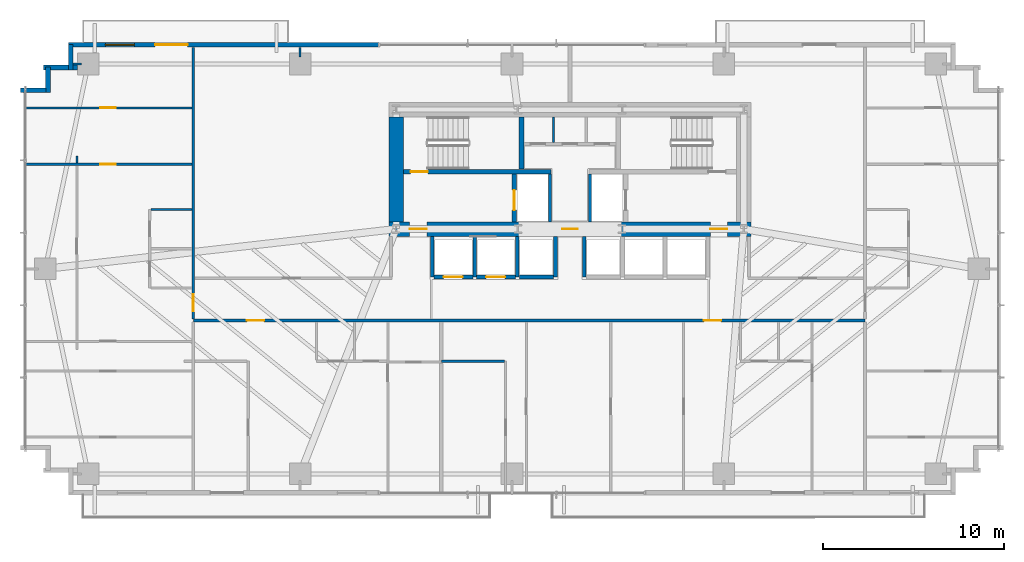
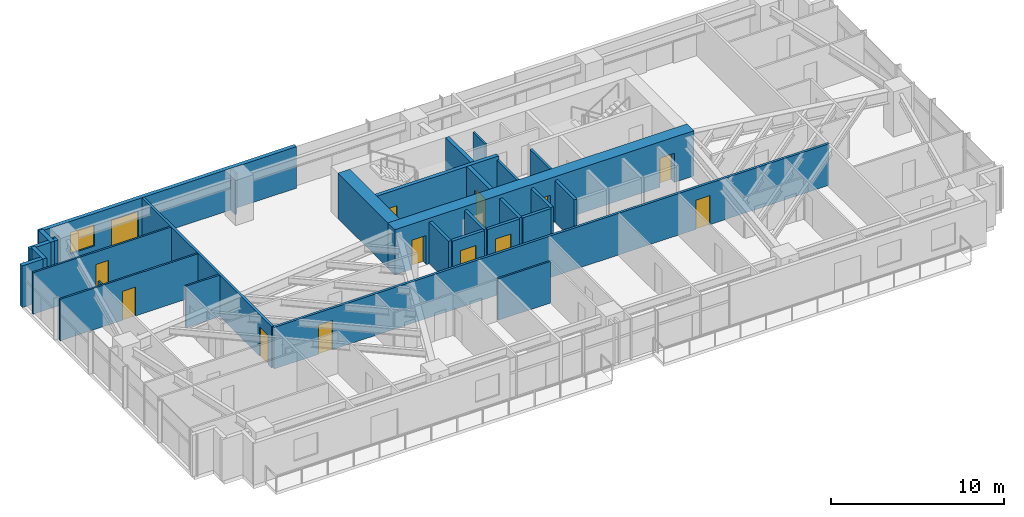
# One storey, part 20 of 25: 30 walls, 13 doors, 1 window, 14 openings.
"""IFC4 building model written with IfcOpenShell, lengths in metres."""

from ifc_helpers import new_model, si_unit, direction, frame, frame_2d, origin, place, context, subcontext, project, spatial, rectangle, extrude, source, transform, mapped, material, layer, layer_set, type_object, type_shapes, element, fill, save


model = new_model("IFC4")

# Units and contexts
model_context = context("Model", 3, precision=1e-05, world=origin(), true_north=direction((0.0, 1.0)))
body_context = subcontext(model_context, "Body", "Model", "MODEL_VIEW")
ifc_project = project(units=[si_unit("LENGTHUNIT", "METRE"), si_unit("AREAUNIT", "SQUARE_METRE"), si_unit("VOLUMEUNIT", "CUBIC_METRE"), si_unit("PLANEANGLEUNIT", "RADIAN"), si_unit("MASSUNIT", "GRAM", prefix="KILO")], contexts=[model_context])

# Site, building, storey
site_placement = place(None, origin())
site = spatial("IfcSite", under=ifc_project, at=site_placement, CompositionType="ELEMENT")
building_placement = place(site_placement, origin())
building = spatial("IfcBuilding", under=site, at=building_placement, Name="Astriad Promenade Condominiums", CompositionType="ELEMENT")
storey_placement = place(building_placement, frame((0.0, 0.0, 29.39990234375)))
storey = spatial("IfcBuildingStorey", under=building, at=storey_placement, Name="L07", CompositionType="ELEMENT", Elevation=29.39990234375)

# Wall, openings, doors
ifc_material_1 = material(Name="Concrete C80/95", Category="concrete")
ifc_layer_1 = layer(ifc_material_1, 0.800048828125)
ifc_layer_set_1 = layer_set([ifc_layer_1], Name="Concrete C80/95")
wall_type_1 = type_object("IfcWallType", Name="CW-SHEAR-800", PredefinedType="SHEAR", material=ifc_layer_set_1)
wall_1_placement = place(storey_placement, frame((26.0, 17.39990234375, 0.0), z_axis=(0.0, 0.0, 1.0), x_axis=(1.0, 0.0, 0.0)))
wall_1 = element("IfcWall", 1, at=wall_1_placement, inside=storey, type_object=wall_type_1, Name="CW-CORE-S-L07", PredefinedType="SHEAR", context=body_context, shape_type="SweptSolid", body=[
    extrude(rectangle(XDim=20.0, YDim=0.800048828125, at=frame_2d((10.0, 0.0))), origin(), (0.0, 0.0, 1.0), 3.2001953125),
])
opening_1_placement = place(wall_1_placement, frame((1.14990234375, 0.0, 0.0)))
opening_1 = element("IfcOpeningElement", 2, at=opening_1_placement, cuts=wall_1, Name="Opening FD90-ST-095", PredefinedType="OPENING", context=body_context, shape_type="SweptSolid", body=[
    extrude(rectangle(XDim=0.949951171875, YDim=2.06005859375, at=frame_2d((0.47509765625, 1.030029296875))), frame((0.0, 0.409912109375, 0.0), z_axis=(0.0, -1.0, 0.0), x_axis=(1.0, 0.0, 0.0)), (0.0, 0.0, 1.0), 0.820068359375),
])
opening_2_placement = place(wall_1_placement, frame((9.580078125, 0.0, 0.0)))
opening_2 = element("IfcOpeningElement", 3, at=opening_2_placement, cuts=wall_1, Name="Opening FD60-ULOW-085", PredefinedType="OPENING", context=body_context, shape_type="SweptSolid", body=[
    extrude(rectangle(XDim=0.85009765625, YDim=2.0, at=frame_2d((0.425048828125, 1.0))), frame((0.0, 0.409912109375, 0.0), z_axis=(0.0, -1.0, 0.0), x_axis=(1.0, 0.0, 0.0)), (0.0, 0.0, 1.0), 0.820068359375),
])
opening_3_placement = place(wall_1_placement, frame((17.75, 0.0, 0.0)))
opening_3 = element("IfcOpeningElement", 4, at=opening_3_placement, cuts=wall_1, Name="Opening FD90-ST-095", PredefinedType="OPENING", context=body_context, shape_type="SweptSolid", body=[
    extrude(rectangle(XDim=0.949951171875, YDim=2.06005859375, at=frame_2d((0.47509765625, 1.030029296875))), frame((0.0, 0.409912109375, 0.0), z_axis=(0.0, -1.0, 0.0), x_axis=(1.0, 0.0, 0.0)), (0.0, 0.0, 1.0), 0.820068359375),
])
ifc_material_2 = material(Name="Fire-Rated Hollow Metal Stair Door")
door_type_1 = type_object("IfcDoorType", Name="FD90-ST-095", OperationType="NOTDEFINED", PredefinedType="DOOR", material=ifc_material_2)
shared_shape_1 = source(origin(), body_context, "Body", "SweptSolid", [
    extrude(rectangle(XDim=0.949951171875, YDim=2.06005859375, at=frame_2d((0.47509765625, 1.030029296875))), frame((0.0, 0.02490234375, 0.0), z_axis=(0.0, -1.0, 0.0), x_axis=(1.0, 0.0, 0.0)), (0.0, 0.0, 1.0), 0.050048828125),
])
type_shapes(door_type_1, [shared_shape_1])
door_1_placement = place(opening_1_placement, origin())
door_1 = element("IfcDoor", 5, at=door_1_placement, inside=storey, type_object=door_type_1, Name="D-FFW-L07", OperationType="SINGLE_SWING_LEFT", OverallHeight=2.06005859375, OverallWidth=0.949951171875, PredefinedType="DOOR", context=body_context, shape_type="MappedRepresentation", body=[
    mapped(shared_shape_1, transform((0.0, 0.0, 0.0), scale=1.0)),
])
fill(opening_1, door_1)
door_2_placement = place(opening_3_placement, origin())
door_2 = element("IfcDoor", 6, at=door_2_placement, inside=storey, type_object=door_type_1, Name="D-FFE-L07", OperationType="SINGLE_SWING_RIGHT", OverallHeight=2.06005859375, OverallWidth=0.949951171875, PredefinedType="DOOR", context=body_context, shape_type="MappedRepresentation", body=[
    mapped(shared_shape_1, transform((0.0, 0.0, 0.0), scale=1.0)),
])
fill(opening_3, door_2)
ifc_material_3 = material(Name="Solid-Core Low-Headroom Fire Door")
door_type_2 = type_object("IfcDoorType", Name="FD60-ULOW-085", OperationType="NOTDEFINED", PredefinedType="DOOR", material=ifc_material_3)
shared_shape_2 = source(origin(), body_context, "Body", "SweptSolid", [
    extrude(rectangle(XDim=0.85009765625, YDim=2.0, at=frame_2d((0.425048828125, 1.0))), frame((0.0, 0.02490234375, 0.0), z_axis=(0.0, -1.0, 0.0), x_axis=(1.0, 0.0, 0.0)), (0.0, 0.0, 1.0), 0.050048828125),
])
type_shapes(door_type_2, [shared_shape_2])
door_3_placement = place(opening_2_placement, origin())
door_3 = element("IfcDoor", 7, at=door_3_placement, inside=storey, type_object=door_type_2, Name="D-CSL-L07", OperationType="SINGLE_SWING_RIGHT", OverallHeight=2.0, OverallWidth=0.85009765625, PredefinedType="DOOR", context=body_context, shape_type="MappedRepresentation", body=[
    mapped(shared_shape_2, transform((0.0, 0.0, 0.0), scale=1.0)),
])
fill(opening_2, door_3)

# Wall
wall_2_placement = place(storey_placement, frame((26.39990234375, 17.802001953125, 0.0), z_axis=(0.0, 0.0, 1.0), x_axis=(0.0, 1.0, 0.0)))
element("IfcWall", 8, at=wall_2_placement, inside=storey, type_object=wall_type_1, Name="CW-CORE-W-L07", PredefinedType="SHEAR", context=body_context, shape_type="SweptSolid", body=[
    extrude(rectangle(XDim=5.7958984375, YDim=0.800048828125, at=frame_2d((2.89794921875, 0.0))), origin(), (0.0, 0.0, 1.0), 3.2001953125),
])

# Wall, opening, door
ifc_material_4 = material(Name="Concrete C50/60", Category="concrete")
ifc_layer_2 = layer(ifc_material_4, 0.25)
ifc_layer_set_2 = layer_set([ifc_layer_2], Name="Concrete C50/60")
wall_type_2 = type_object("IfcWallType", Name="WALL-CORE-INT-250", PredefinedType="SOLIDWALL", material=ifc_layer_set_2)
wall_3_placement = place(storey_placement, frame((26.802001953125, 20.574951171875, 0.0), z_axis=(0.0, 0.0, 1.0), x_axis=(1.0, 0.0, 0.0)))
wall_3 = element("IfcWall", 9, at=wall_3_placement, inside=storey, type_object=wall_type_2, Name="CW-INT-H1-L07", PredefinedType="SOLIDWALL", context=body_context, shape_type="SweptSolid", body=[
    extrude(rectangle(XDim=8.14794921875, YDim=0.25, at=frame_2d((4.073974609375, 0.0))), origin(), (0.0, 0.0, 1.0), 3.2001953125),
])
opening_4_placement = place(wall_3_placement, frame((0.39794921875, 0.0, 0.0)))
opening_4 = element("IfcOpeningElement", 10, at=opening_4_placement, cuts=wall_3, Name="Opening FD90-ST-095", PredefinedType="OPENING", context=body_context, shape_type="SweptSolid", body=[
    extrude(rectangle(XDim=0.949951171875, YDim=2.06005859375, at=frame_2d((0.47509765625, 1.030029296875))), frame((0.0, 0.135009765625, 0.0), z_axis=(0.0, -1.0, 0.0), x_axis=(1.0, 0.0, 0.0)), (0.0, 0.0, 1.0), 0.27001953125),
])
door_4_placement = place(opening_4_placement, origin())
door_4 = element("IfcDoor", 11, at=door_4_placement, inside=storey, type_object=door_type_1, Name="D-ST1-L07", OperationType="SINGLE_SWING_RIGHT", OverallHeight=2.06005859375, OverallWidth=0.949951171875, PredefinedType="DOOR", context=body_context, shape_type="MappedRepresentation", body=[
    mapped(shared_shape_1, transform((0.0, 0.0, 0.0), scale=1.0)),
])
fill(opening_4, door_4)

# Wall
wall_4_placement = place(storey_placement, frame((33.324951171875, 20.701904296875, 0.0), z_axis=(0.0, 0.0, 1.0), x_axis=(0.0, 1.0, 0.0)))
element("IfcWall", 12, at=wall_4_placement, inside=storey, type_object=wall_type_2, Name="CW-ST1-E-L07", PredefinedType="SOLIDWALL", context=body_context, shape_type="SweptSolid", body=[
    extrude(rectangle(XDim=2.89599609375, YDim=0.25, at=frame_2d((1.447998046875, 0.0))), origin(), (0.0, 0.0, 1.0), 3.2001953125),
])

# Wall, opening, door
wall_5_placement = place(storey_placement, frame((32.925048828125, 17.802001953125, 0.0), z_axis=(0.0, 0.0, 1.0), x_axis=(0.0, 1.0, 0.0)))
wall_5 = element("IfcWall", 13, at=wall_5_placement, inside=storey, type_object=wall_type_2, Name="CW-FFL1-W-L07", PredefinedType="SOLIDWALL", context=body_context, shape_type="SweptSolid", body=[
    extrude(rectangle(XDim=2.64599609375, YDim=0.25, at=frame_2d((1.322998046875, 0.0))), origin(), (0.0, 0.0, 1.0), 3.2001953125),
])
opening_5_placement = place(wall_5_placement, frame((0.64794921875, 0.0, 0.0)))
opening_5 = element("IfcOpeningElement", 14, at=opening_5_placement, cuts=wall_5, Name="Opening LD-FFL-1122", PredefinedType="OPENING", context=body_context, shape_type="SweptSolid", body=[
    extrude(rectangle(XDim=1.10009765625, YDim=2.080078125, at=frame_2d((0.550048828125, 1.0400390625))), frame((0.0, 0.135009765625, 0.0), z_axis=(0.0, -1.0, 0.0), x_axis=(1.0, 0.0, 0.0)), (0.0, 0.0, 1.0), 0.27001953125),
])
ifc_material_5 = material(Name="Brushed Stainless Steel Fire Elevator Landing Door", Category="steel")
door_type_3 = type_object("IfcDoorType", Name="LD-FFL-1122", OperationType="NOTDEFINED", PredefinedType="DOOR", material=ifc_material_5)
shared_shape_3 = source(origin(), body_context, "Body", "SweptSolid", [
    extrude(rectangle(XDim=1.10009765625, YDim=2.080078125, at=frame_2d((0.550048828125, 1.0400390625))), frame((0.0, 0.02490234375, 0.0), z_axis=(0.0, -1.0, 0.0), x_axis=(1.0, 0.0, 0.0)), (0.0, 0.0, 1.0), 0.050048828125),
])
type_shapes(door_type_3, [shared_shape_3])
door_5_placement = place(opening_5_placement, origin())
door_5 = element("IfcDoor", 15, at=door_5_placement, inside=storey, type_object=door_type_3, Name="Elevator Landing Door FFL-1 (L07)", OperationType="SLIDING_TO_LEFT", OverallHeight=2.080078125, OverallWidth=1.10009765625, PredefinedType="DOOR", context=body_context, shape_type="MappedRepresentation", body=[
    mapped(shared_shape_3, transform((0.0, 0.0, 0.0), scale=1.0)),
])
fill(opening_5, door_5)

# Walls
ifc_material_6 = material(Name="Fire-Rated Gypsum Partition")
ifc_layer_3 = layer(ifc_material_6, 0.159912109375)
ifc_layer_set_3 = layer_set([ifc_layer_3], Name="Fire-Rated Gypsum Partition")
wall_type_3 = type_object("IfcWallType", Name="WALL-CORR-160", PredefinedType="PARTITIONING", material=ifc_layer_set_3)
for number, where, z_axis, x_axis, name in (
    (16, (34.89990234375, 17.802001953125, 0.0), (0.0, 0.0, 1.0), (0.0, 1.0, 0.0), "CW-FFL1-E-L07"),
    (17, (37.10009765625, 17.802001953125, 0.0), (0.0, 0.0, 1.0), (0.0, 1.0, 0.0), "CW-FFL2-W-L07"),
):
    element("IfcWall", number, at=place(storey_placement, frame(where, z_axis=z_axis, x_axis=x_axis)), inside=storey, type_object=wall_type_3, Name=name, PredefinedType="PARTITIONING", context=body_context, shape_type="SweptSolid", body=[
        extrude(rectangle(XDim=2.64599609375, YDim=0.159912109375, at=frame_2d((1.322998046875, 0.0))), origin(), (0.0, 0.0, 1.0), 2.940185546875),
    ])

# Wall, openings, doors
wall_6_placement = place(storey_placement, frame((15.199951171875, 12.35009765625, 0.0), z_axis=(0.0, 0.0, 1.0), x_axis=(1.0, 0.0, 0.0)))
wall_6 = element("IfcWall", 18, at=wall_6_placement, inside=storey, type_object=wall_type_3, Name="PT-COR-S-L07", PredefinedType="PARTITIONING", context=body_context, shape_type="SweptSolid", body=[
    extrude(rectangle(XDim=37.10009765625, YDim=0.159912109375, at=frame_2d((18.550048828125, 0.0))), origin(), (0.0, 0.0, 1.0), 2.940185546875),
])
opening_6_placement = place(wall_6_placement, frame((2.964111328125, 0.0, 0.0)))
opening_6 = element("IfcOpeningElement", 19, at=opening_6_placement, cuts=wall_6, Name="Opening FD60-APT-095", PredefinedType="OPENING", context=body_context, shape_type="SweptSolid", body=[
    extrude(rectangle(XDim=0.949951171875, YDim=2.06005859375, at=frame_2d((0.47509765625, 1.030029296875))), frame((0.0, 0.08984375, 0.0), z_axis=(0.0, -1.0, 0.0), x_axis=(1.0, 0.0, 0.0)), (0.0, 0.0, 1.0), 0.179931640625),
])
opening_7_placement = place(wall_6_placement, frame((28.201904296875, 0.0, 0.0)))
opening_7 = element("IfcOpeningElement", 20, at=opening_7_placement, cuts=wall_6, Name="Opening FD60-APT-095", PredefinedType="OPENING", context=body_context, shape_type="SweptSolid", body=[
    extrude(rectangle(XDim=0.949951171875, YDim=2.06005859375, at=frame_2d((0.47509765625, 1.030029296875))), frame((0.0, 0.08984375, 0.0), z_axis=(0.0, -1.0, 0.0), x_axis=(1.0, 0.0, 0.0)), (0.0, 0.0, 1.0), 0.179931640625),
])
ifc_material_7 = material(Name="Solid-Core Acoustic Timber Residence Entry Door", Category="wood")
door_type_4 = type_object("IfcDoorType", Name="FD60-APT-095", OperationType="NOTDEFINED", PredefinedType="DOOR", material=ifc_material_7)
shared_shape_4 = source(origin(), body_context, "Body", "SweptSolid", [
    extrude(rectangle(XDim=0.949951171875, YDim=2.06005859375, at=frame_2d((0.47509765625, 1.030029296875))), frame((0.0, 0.02490234375, 0.0), z_axis=(0.0, -1.0, 0.0), x_axis=(1.0, 0.0, 0.0)), (0.0, 0.0, 1.0), 0.050048828125),
])
type_shapes(door_type_4, [shared_shape_4])
door_6_placement = place(opening_6_placement, origin())
door_6 = element("IfcDoor", 21, at=door_6_placement, inside=storey, type_object=door_type_4, Name="D-ENT-L07-S1", OperationType="SINGLE_SWING_LEFT", OverallHeight=2.06005859375, OverallWidth=0.949951171875, PredefinedType="DOOR", context=body_context, shape_type="MappedRepresentation", body=[
    mapped(shared_shape_4, transform((0.0, 0.0, 0.0), scale=1.0)),
])
fill(opening_6, door_6)
door_7_placement = place(opening_7_placement, origin())
door_7 = element("IfcDoor", 22, at=door_7_placement, inside=storey, type_object=door_type_4, Name="D-ENT-L07-S2", OperationType="SINGLE_SWING_LEFT", OverallHeight=2.06005859375, OverallWidth=0.949951171875, PredefinedType="DOOR", context=body_context, shape_type="MappedRepresentation", body=[
    mapped(shared_shape_4, transform((0.0, 0.0, 0.0), scale=1.0)),
])
fill(opening_7, door_7)

# Wall, opening, door
wall_7_placement = place(storey_placement, frame((15.199951171875, 12.431884765625, 0.0), z_axis=(0.0, 0.0, 1.0), x_axis=(0.0, 1.0, 0.0)))
wall_7 = element("IfcWall", 23, at=wall_7_placement, inside=storey, type_object=wall_type_3, Name="PT-COR-W-L07-S2", PredefinedType="PARTITIONING", context=body_context, shape_type="SweptSolid", body=[
    extrude(rectangle(XDim=15.006103515625, YDim=0.159912109375, at=frame_2d((7.5029296875, 0.0))), origin(), (0.0, 0.0, 1.0), 2.940185546875),
])
opening_8_placement = place(wall_7_placement, frame((0.428955078125, 0.0, 0.0)))
opening_8 = element("IfcOpeningElement", 24, at=opening_8_placement, cuts=wall_7, Name="Opening FD60-APT-095", PredefinedType="OPENING", context=body_context, shape_type="SweptSolid", body=[
    extrude(rectangle(XDim=0.949951171875, YDim=2.06005859375, at=frame_2d((0.47509765625, 1.030029296875))), frame((0.0, 0.08984375, 0.0), z_axis=(0.0, -1.0, 0.0), x_axis=(1.0, 0.0, 0.0)), (0.0, 0.0, 1.0), 0.179931640625),
])
door_8_placement = place(opening_8_placement, origin())
door_8 = element("IfcDoor", 25, at=door_8_placement, inside=storey, type_object=door_type_4, Name="D-ENT-L07-W1", OperationType="SINGLE_SWING_LEFT", OverallHeight=2.06005859375, OverallWidth=0.949951171875, PredefinedType="DOOR", context=body_context, shape_type="MappedRepresentation", body=[
    mapped(shared_shape_4, transform((0.0, 0.0, 0.0), scale=1.0)),
])
fill(opening_8, door_8)

# Walls
ifc_material_8 = material(Name="Precast concrete C50/60", Category="concrete")
ifc_layer_4 = layer(ifc_material_8, 0.260009765625)
ifc_layer_set_4 = layer_set([ifc_layer_4], Name="Precast concrete C50/60")
wall_type_4 = type_object("IfcWallType", Name="WALL-EXT-TWR-260", PredefinedType="STANDARD", material=ifc_layer_set_4)
for number, where, z_axis, x_axis, name in (
    (26, (5.669921875, 25.070068359375, 0.0), (0.0, 0.0, 1.0), (1.0, 0.0, 0.0), "W-SER-L07-04"),
    (27, (7.179931640625, 24.93994140625, 0.0), (0.0, 0.0, 1.0), (0.0, 1.0, 0.0), "W-SER-L07-05"),
):
    element("IfcWall", number, at=place(storey_placement, frame(where, z_axis=z_axis, x_axis=x_axis)), inside=storey, type_object=wall_type_4, Name=name, PredefinedType="STANDARD", context=body_context, shape_type="SweptSolid", body=[
        extrude(rectangle(XDim=1.39501953125, YDim=0.260009765625, at=frame_2d((0.697509765625, 0.0))), origin(), (0.0, 0.0, 1.0), 2.940185546875),
    ])
wall_8_placement = place(storey_placement, frame((6.919921875, 26.320068359375, 0.0), z_axis=(0.0, 0.0, 1.0), x_axis=(1.0, 0.0, 0.0)))
element("IfcWall", 28, at=wall_8_placement, inside=storey, type_object=wall_type_4, Name="W-SER-L07-06", PredefinedType="STANDARD", context=body_context, shape_type="SweptSolid", body=[
    extrude(rectangle(XDim=1.878173828125, YDim=0.260009765625, at=frame_2d((0.93896484375, 0.0))), origin(), (0.0, 0.0, 1.0), 2.940185546875),
])
wall_9_placement = place(storey_placement, frame((8.429931640625, 26.18994140625, 0.0), z_axis=(0.0, 0.0, 1.0), x_axis=(0.0, 1.0, 0.0)))
element("IfcWall", 29, at=wall_9_placement, inside=storey, type_object=wall_type_4, Name="W-SER-L07-07", PredefinedType="STANDARD", context=body_context, shape_type="SweptSolid", body=[
    extrude(rectangle(XDim=1.39501953125, YDim=0.260009765625, at=frame_2d((0.697509765625, 0.0))), origin(), (0.0, 0.0, 1.0), 2.940185546875),
])

# Wall, openings, door, window
wall_10_placement = place(storey_placement, frame((8.300048828125, 27.570068359375, 0.0), z_axis=(0.0, 0.0, 1.0), x_axis=(1.0, 0.0, 0.0)))
wall_10 = element("IfcWall", 30, at=wall_10_placement, inside=storey, type_object=wall_type_4, Name="W-EXT-L07-N1", PredefinedType="STANDARD", context=body_context, shape_type="SweptSolid", body=[
    extrude(rectangle(XDim=17.14990234375, YDim=0.260009765625, at=frame_2d((8.574951171875, 0.0))), origin(), (0.0, 0.0, 1.0), 2.940185546875),
])
opening_9_placement = place(wall_10_placement, frame((4.785888671875, 0.0, 0.0)))
opening_9 = element("IfcOpeningElement", 31, at=opening_9_placement, cuts=wall_10, Name="Opening BD-1822-SLD", PredefinedType="OPENING", context=body_context, shape_type="SweptSolid", body=[
    extrude(rectangle(XDim=1.800048828125, YDim=2.06005859375, at=frame_2d((0.89990234375, 1.030029296875))), frame((0.0, 0.139892578125, 0.0), z_axis=(0.0, -1.0, 0.0), x_axis=(1.0, 0.0, 0.0)), (0.0, 0.0, 1.0), 0.280029296875),
])
opening_10_placement = place(wall_10_placement, frame((2.050048828125, 0.0, 0.64990234375)))
opening_10 = element("IfcOpeningElement", 32, at=opening_10_placement, cuts=wall_10, Name="Opening WIN-TWR-1620", PredefinedType="OPENING", context=body_context, shape_type="SweptSolid", body=[
    extrude(rectangle(XDim=1.60009765625, YDim=1.5, at=frame_2d((0.800048828125, 0.75))), frame((0.0, 0.139892578125, 0.0), z_axis=(0.0, -1.0, 0.0), x_axis=(1.0, 0.0, 0.0)), (0.0, 0.0, 1.0), 0.280029296875),
])
ifc_material_9 = material(Name="Thermally Broken Aluminium Sliding Balcony Door", Category="aluminium")
door_type_5 = type_object("IfcDoorType", Name="BD-1822-SLD", OperationType="NOTDEFINED", PredefinedType="DOOR", material=ifc_material_9)
shared_shape_5 = source(origin(), body_context, "Body", "SweptSolid", [
    extrude(rectangle(XDim=1.800048828125, YDim=2.06005859375, at=frame_2d((0.89990234375, 1.030029296875))), frame((0.0, 0.02490234375, 0.0), z_axis=(0.0, -1.0, 0.0), x_axis=(1.0, 0.0, 0.0)), (0.0, 0.0, 1.0), 0.050048828125),
])
type_shapes(door_type_5, [shared_shape_5])
door_9_placement = place(opening_9_placement, origin())
door_9 = element("IfcDoor", 33, at=door_9_placement, inside=storey, type_object=door_type_5, Name="BD-L07-NW", OperationType="SLIDING_TO_LEFT", OverallHeight=2.06005859375, OverallWidth=1.800048828125, PredefinedType="DOOR", context=body_context, shape_type="MappedRepresentation", body=[
    mapped(shared_shape_5, transform((0.0, 0.0, 0.0), scale=1.0)),
])
fill(opening_9, door_9)
ifc_material_10 = material(Name="Dark Tinted Triple-Glazed Aluminium Window", Category="aluminium")
window_type = type_object("IfcWindowType", Name="WIN-TWR-1620", PartitioningType="SINGLE_PANEL", PredefinedType="WINDOW", material=ifc_material_10)
shared_shape_6 = source(origin(), body_context, "Body", "SweptSolid", [
    extrude(rectangle(XDim=1.60009765625, YDim=1.5, at=frame_2d((0.800048828125, 0.75))), frame((0.0, 0.030029296875, 0.0), z_axis=(0.0, -1.0, 0.0), x_axis=(1.0, 0.0, 0.0)), (0.0, 0.0, 1.0), 0.06005859375),
])
type_shapes(window_type, [shared_shape_6])
window_placement = place(opening_10_placement, origin())
window = element("IfcWindow", 34, at=window_placement, inside=storey, type_object=window_type, Name="WIN-L07-NW", OverallHeight=1.5, OverallWidth=1.60009765625, PartitioningType="SINGLE_PANEL", PredefinedType="WINDOW", context=body_context, shape_type="MappedRepresentation", body=[
    mapped(shared_shape_6, transform((0.0, 0.0, 0.0), scale=1.0)),
])
fill(opening_10, window)

# Walls
ifc_material_11 = material(Name="Acoustic Metal-Stud Gypsum Partition")
ifc_layer_5 = layer(ifc_material_11, 0.1201171875)
ifc_layer_set_5 = layer_set([ifc_layer_5], Name="Acoustic Metal-Stud Gypsum Partition")
wall_type_5 = type_object("IfcWallType", Name="WALL-PART-120", PredefinedType="PARTITIONING", material=ifc_layer_set_5)
wall_11_placement = place(storey_placement, frame((35.10009765625, 22.181884765625, 0.0), z_axis=(0.0, 0.0, 1.0), x_axis=(0.0, 1.0, 0.0)))
element("IfcWall", 35, at=wall_11_placement, inside=storey, type_object=wall_type_5, Name="CW-AUX-V1-L07", PredefinedType="PARTITIONING", context=body_context, shape_type="SweptSolid", body=[
    extrude(rectangle(XDim=1.416015625, YDim=0.1201171875, at=frame_2d((0.7080078125, 0.0))), origin(), (0.0, 0.0, 1.0), 2.940185546875),
])
wall_12_placement = place(storey_placement, frame((28.89794921875, 10.10009765625, 0.0), z_axis=(0.0, 0.0, 1.0), x_axis=(1.0, 0.0, 0.0)))
element("IfcWall", 36, at=wall_12_placement, inside=storey, type_object=wall_type_5, Name="PT-L07-S2-EXH", PredefinedType="PARTITIONING", context=body_context, shape_type="SweptSolid", body=[
    extrude(rectangle(XDim=3.488037109375, YDim=0.1201171875, at=frame_2d((1.744140625, 0.0))), origin(), (0.0, 0.0, 1.0), 2.940185546875),
])
wall_13_placement = place(storey_placement, frame((12.862060546875, 18.486083984375, 0.0), z_axis=(0.0, 0.0, 1.0), x_axis=(1.0, 0.0, 0.0)))
element("IfcWall", 37, at=wall_13_placement, inside=storey, type_object=wall_type_5, Name="PT-L07-W1-PN", PredefinedType="PARTITIONING", context=body_context, shape_type="SweptSolid", body=[
    extrude(rectangle(XDim=2.255859375, YDim=0.1201171875, at=frame_2d((1.1279296875, 0.0))), origin(), (0.0, 0.0, 1.0), 2.940185546875),
])

# Wall, opening, door
wall_14_placement = place(storey_placement, frame((5.8798828125, 24.090087890625, 0.0), z_axis=(0.0, 0.0, 1.0), x_axis=(1.0, 0.0, 0.0)))
wall_14 = element("IfcWall", 38, at=wall_14_placement, inside=storey, type_object=wall_type_5, Name="PT-L07-W1-B1", PredefinedType="PARTITIONING", context=body_context, shape_type="SweptSolid", body=[
    extrude(rectangle(XDim=9.238037109375, YDim=0.1201171875, at=frame_2d((4.619140625, 0.0))), origin(), (0.0, 0.0, 1.0), 2.940185546875),
])
opening_11_placement = place(wall_14_placement, frame((4.18505859375, 0.0, 0.0)))
opening_11 = element("IfcOpeningElement", 39, at=opening_11_placement, cuts=wall_14, Name="Opening D-INT-085", PredefinedType="OPENING", context=body_context, shape_type="SweptSolid", body=[
    extrude(rectangle(XDim=0.85009765625, YDim=2.050048828125, at=frame_2d((0.425048828125, 1.02490234375))), frame((0.0, 0.070068359375, 0.0), z_axis=(0.0, -1.0, 0.0), x_axis=(1.0, 0.0, 0.0)), (0.0, 0.0, 1.0), 0.14013671875),
])
ifc_material_12 = material(Name="Painted Solid-Core Timber Room Door", Category="wood")
door_type_6 = type_object("IfcDoorType", Name="D-INT-085", OperationType="NOTDEFINED", PredefinedType="DOOR", material=ifc_material_12)
shared_shape_7 = source(origin(), body_context, "Body", "SweptSolid", [
    extrude(rectangle(XDim=0.85009765625, YDim=2.050048828125, at=frame_2d((0.425048828125, 1.02490234375))), frame((0.0, 0.02490234375, 0.0), z_axis=(0.0, -1.0, 0.0), x_axis=(1.0, 0.0, 0.0)), (0.0, 0.0, 1.0), 0.050048828125),
])
type_shapes(door_type_6, [shared_shape_7])
door_10_placement = place(opening_11_placement, origin())
door_10 = element("IfcDoor", 40, at=door_10_placement, inside=storey, type_object=door_type_6, Name="D-BD1-L07-W1", OperationType="SINGLE_SWING_RIGHT", OverallHeight=2.050048828125, OverallWidth=0.85009765625, PredefinedType="DOOR", context=body_context, shape_type="MappedRepresentation", body=[
    mapped(shared_shape_7, transform((0.0, 0.0, 0.0), scale=1.0)),
])
fill(opening_11, door_10)

wall_15_placement = place(storey_placement, frame((5.8798828125, 20.98095703125, 0.0), z_axis=(0.0, 0.0, 1.0), x_axis=(1.0, 0.0, 0.0)))
wall_15 = element("IfcWall", 41, at=wall_15_placement, inside=storey, type_object=wall_type_5, Name="PT-L07-W1-WDN2", PredefinedType="PARTITIONING", context=body_context, shape_type="SweptSolid", body=[
    extrude(rectangle(XDim=9.238037109375, YDim=0.1201171875, at=frame_2d((4.619140625, 0.0))), origin(), (0.0, 0.0, 1.0), 2.940185546875),
])
opening_12_placement = place(wall_15_placement, frame((4.18505859375, 0.0, 0.0)))
opening_12 = element("IfcOpeningElement", 42, at=opening_12_placement, cuts=wall_15, Name="Opening D-INT-085", PredefinedType="OPENING", context=body_context, shape_type="SweptSolid", body=[
    extrude(rectangle(XDim=0.85009765625, YDim=2.050048828125, at=frame_2d((0.425048828125, 1.02490234375))), frame((0.0, 0.070068359375, 0.0), z_axis=(0.0, -1.0, 0.0), x_axis=(1.0, 0.0, 0.0)), (0.0, 0.0, 1.0), 0.14013671875),
])
door_11_placement = place(opening_12_placement, origin())
door_11 = element("IfcDoor", 43, at=door_11_placement, inside=storey, type_object=door_type_6, Name="D-WDN2-L07-W1", OperationType="SINGLE_SWING_LEFT", OverallHeight=2.050048828125, OverallWidth=0.85009765625, PredefinedType="DOOR", context=body_context, shape_type="MappedRepresentation", body=[
    mapped(shared_shape_7, transform((0.0, 0.0, 0.0), scale=1.0)),
])
fill(opening_12, door_11)

# Walls
wall_16_placement = place(storey_placement, frame((8.77490234375, 21.04296875, 0.0), z_axis=(0.0, 0.0, 1.0), x_axis=(0.0, 1.0, 0.0)))
element("IfcWall", 44, at=wall_16_placement, inside=storey, type_object=wall_type_5, Name="PT-L07-W1-WDV4-S3", PredefinedType="PARTITIONING", context=body_context, shape_type="SweptSolid", body=[
    extrude(rectangle(XDim=0.3779296875, YDim=0.1201171875, at=frame_2d((0.18896484375, 0.0))), origin(), (0.0, 0.0, 1.0), 2.940185546875),
])
wall_17_placement = place(storey_placement, frame((9.02001953125, 26.52001953125, 0.0), z_axis=(0.0, 0.0, 1.0), x_axis=(-1.0, 0.0, 0.0)))
element("IfcWall", 45, at=wall_17_placement, inside=storey, type_object=wall_type_5, Name="PT-PIL-L07-PC06-13", PredefinedType="PARTITIONING", context=body_context, shape_type="SweptSolid", body=[
    extrude(rectangle(XDim=0.4580078125, YDim=0.1201171875, at=frame_2d((0.22900390625, 0.0))), origin(), (0.0, 0.0, 1.0), 2.940185546875),
])
wall_18_placement = place(storey_placement, frame((21.10009765625, 26.89990234375, 0.0), z_axis=(0.0, 0.0, 1.0), x_axis=(0.0, 1.0, 0.0)))
element("IfcWall", 46, at=wall_18_placement, inside=storey, type_object=wall_type_5, Name="PT-PIL-L07-PC07-14", PredefinedType="PARTITIONING", context=body_context, shape_type="SweptSolid", body=[
    extrude(rectangle(XDim=0.5380859375, YDim=0.1201171875, at=frame_2d((0.26904296875, 0.0))), origin(), (0.0, 0.0, 1.0), 2.940185546875),
])
ifc_material_13 = material(Name="Gypsum Shaftliner Assembly")
ifc_layer_6 = layer(ifc_material_13, 0.199951171875)
ifc_layer_set_6 = layer_set([ifc_layer_6], Name="Gypsum Shaftliner Assembly")
wall_type_6 = type_object("IfcWallType", Name="WALL-SHAFT-200", PredefinedType="PARTITIONING", material=ifc_layer_set_6)
for number, where, z_axis, x_axis, name in (
    (47, (28.39990234375, 14.75, 0.0), (0.0, 0.0, 1.0), (0.0, 1.0, 0.0), "PL-W-OUT-L07"),
    (48, (30.75, 14.75, 0.0), (0.0, 0.0, 1.0), (0.0, 1.0, 0.0), "PL-L-DIV-L07"),
    (49, (33.10009765625, 14.75, 0.0), (0.0, 0.0, 1.0), (0.0, 1.0, 0.0), "PL-LM-DIV-L07"),
):
    element("IfcWall", number, at=place(storey_placement, frame(where, z_axis=z_axis, x_axis=x_axis)), inside=storey, type_object=wall_type_6, Name=name, PredefinedType="PARTITIONING", context=body_context, shape_type="SweptSolid", body=[
        extrude(rectangle(XDim=2.248046875, YDim=0.199951171875, at=frame_2d((1.1240234375, 0.0))), origin(), (0.0, 0.0, 1.0), 2.940185546875),
    ])

# Wall, opening, door
wall_19_placement = place(storey_placement, frame((28.501953125, 14.75, 0.0), z_axis=(0.0, 0.0, 1.0), x_axis=(1.0, 0.0, 0.0)))
wall_19 = element("IfcWall", 50, at=wall_19_placement, inside=storey, type_object=wall_type_6, Name="PL-L-FRT-L07", PredefinedType="PARTITIONING", context=body_context, shape_type="SweptSolid", body=[
    extrude(rectangle(XDim=2.14599609375, YDim=0.199951171875, at=frame_2d((1.072998046875, 0.0))), origin(), (0.0, 0.0, 1.0), 2.940185546875),
])
opening_13_placement = place(wall_19_placement, frame((0.52294921875, 0.0, 0.0)))
opening_13 = element("IfcOpeningElement", 51, at=opening_13_placement, cuts=wall_19, Name="Opening LD-PL-10522", PredefinedType="OPENING", context=body_context, shape_type="SweptSolid", body=[
    extrude(rectangle(XDim=1.050048828125, YDim=2.080078125, at=frame_2d((0.52490234375, 1.0400390625))), frame((0.0, 0.10986328125, 0.0), z_axis=(0.0, -1.0, 0.0), x_axis=(1.0, 0.0, 0.0)), (0.0, 0.0, 1.0), 0.219970703125),
])
ifc_material_14 = material(Name="Brushed Bronze Passenger Elevator Landing Door")
door_type_7 = type_object("IfcDoorType", Name="LD-PL-10522", OperationType="NOTDEFINED", PredefinedType="DOOR", material=ifc_material_14)
shared_shape_8 = source(origin(), body_context, "Body", "SweptSolid", [
    extrude(rectangle(XDim=1.050048828125, YDim=2.080078125, at=frame_2d((0.52490234375, 1.0400390625))), frame((0.0, 0.02490234375, 0.0), z_axis=(0.0, -1.0, 0.0), x_axis=(1.0, 0.0, 0.0)), (0.0, 0.0, 1.0), 0.050048828125),
])
type_shapes(door_type_7, [shared_shape_8])
door_12_placement = place(opening_13_placement, origin())
door_12 = element("IfcDoor", 52, at=door_12_placement, inside=storey, type_object=door_type_7, Name="Elevator Landing Door PL-L1 (L07)", OperationType="SLIDING_TO_LEFT", OverallHeight=2.080078125, OverallWidth=1.050048828125, PredefinedType="DOOR", context=body_context, shape_type="MappedRepresentation", body=[
    mapped(shared_shape_8, transform((0.0, 0.0, 0.0), scale=1.0)),
])
fill(opening_13, door_12)

wall_20_placement = place(storey_placement, frame((30.85205078125, 14.75, 0.0), z_axis=(0.0, 0.0, 1.0), x_axis=(1.0, 0.0, 0.0)))
wall_20 = element("IfcWall", 53, at=wall_20_placement, inside=storey, type_object=wall_type_6, Name="PL-L-FRT-L07-S2", PredefinedType="PARTITIONING", context=body_context, shape_type="SweptSolid", body=[
    extrude(rectangle(XDim=2.14599609375, YDim=0.199951171875, at=frame_2d((1.072998046875, 0.0))), origin(), (0.0, 0.0, 1.0), 2.940185546875),
])
opening_14_placement = place(wall_20_placement, frame((0.52294921875, 0.0, 0.0)))
opening_14 = element("IfcOpeningElement", 54, at=opening_14_placement, cuts=wall_20, Name="Opening LD-PL-10522", PredefinedType="OPENING", context=body_context, shape_type="SweptSolid", body=[
    extrude(rectangle(XDim=1.050048828125, YDim=2.080078125, at=frame_2d((0.52490234375, 1.0400390625))), frame((0.0, 0.10986328125, 0.0), z_axis=(0.0, -1.0, 0.0), x_axis=(1.0, 0.0, 0.0)), (0.0, 0.0, 1.0), 0.219970703125),
])
door_13_placement = place(opening_14_placement, origin())
door_13 = element("IfcDoor", 55, at=door_13_placement, inside=storey, type_object=door_type_7, Name="Elevator Landing Door PL-L2 (L07)", OperationType="SLIDING_TO_RIGHT", OverallHeight=2.080078125, OverallWidth=1.050048828125, PredefinedType="DOOR", context=body_context, shape_type="MappedRepresentation", body=[
    mapped(shared_shape_8, transform((0.0, 0.0, 0.0), scale=1.0)),
])
fill(opening_14, door_13)

# Walls
wall_21_placement = place(storey_placement, frame((35.199951171875, 14.75, 0.0), z_axis=(0.0, 0.0, 1.0), x_axis=(0.0, 1.0, 0.0)))
element("IfcWall", 56, at=wall_21_placement, inside=storey, type_object=wall_type_6, Name="PL-M1-E-L07", PredefinedType="PARTITIONING", context=body_context, shape_type="SweptSolid", body=[
    extrude(rectangle(XDim=2.248046875, YDim=0.199951171875, at=frame_2d((1.1240234375, 0.0))), origin(), (0.0, 0.0, 1.0), 2.940185546875),
])
wall_22_placement = place(storey_placement, frame((33.201904296875, 14.75, 0.0), z_axis=(0.0, 0.0, 1.0), x_axis=(1.0, 0.0, 0.0)))
element("IfcWall", 57, at=wall_22_placement, inside=storey, type_object=wall_type_6, Name="PL-M1-F-L07", PredefinedType="PARTITIONING", context=body_context, shape_type="SweptSolid", body=[
    extrude(rectangle(XDim=1.89599609375, YDim=0.199951171875, at=frame_2d((0.947998046875, 0.0))), origin(), (0.0, 0.0, 1.0), 2.940185546875),
])
wall_23_placement = place(storey_placement, frame((36.800048828125, 14.75, 0.0), z_axis=(0.0, 0.0, 1.0), x_axis=(0.0, 1.0, 0.0)))
element("IfcWall", 58, at=wall_23_placement, inside=storey, type_object=wall_type_6, Name="PL-M2-W-L07", PredefinedType="PARTITIONING", context=body_context, shape_type="SweptSolid", body=[
    extrude(rectangle(XDim=2.248046875, YDim=0.199951171875, at=frame_2d((1.1240234375, 0.0))), origin(), (0.0, 0.0, 1.0), 2.940185546875),
])

save(model, "model.ifc")
